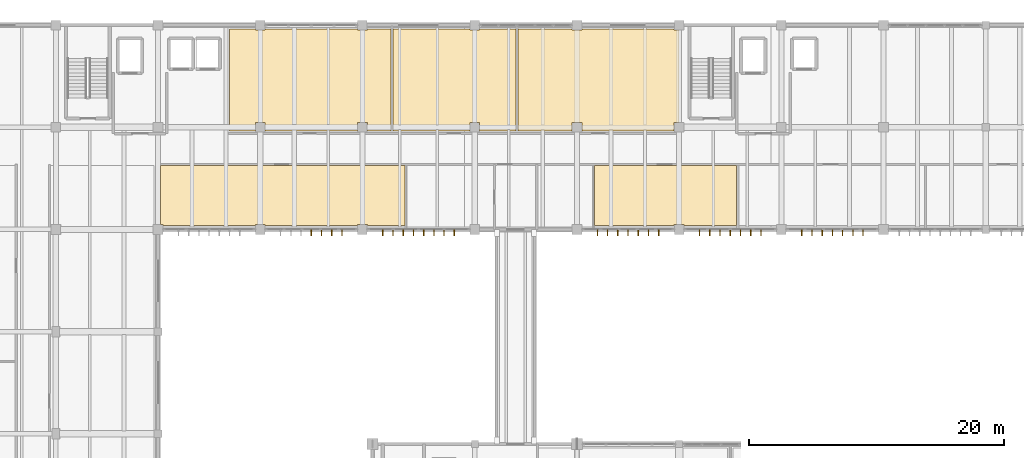
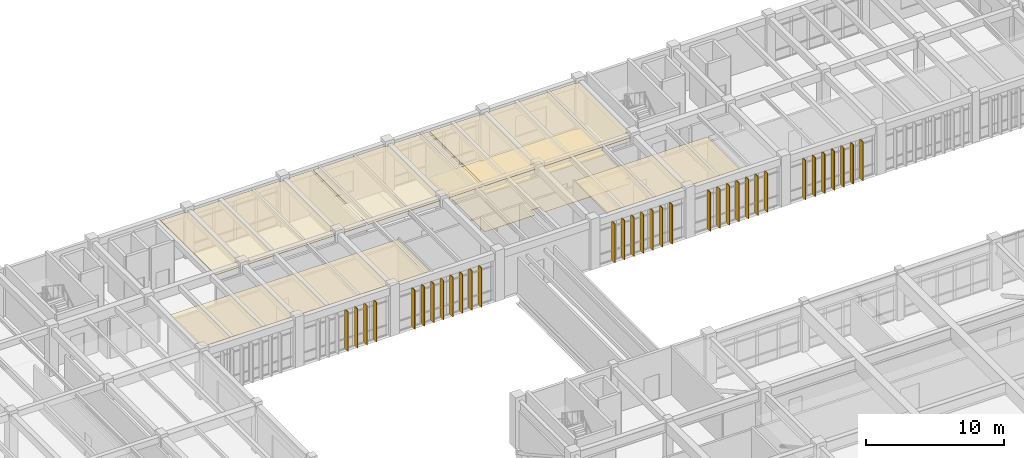
# One storey, part 74 of 79: 33 shading devices, 6 coverings.
"""IFC4 building model written with IfcOpenShell, lengths in metres."""

from ifc_helpers import new_model, si_unit, direction, frame, origin, origin_2d, place, context, subcontext, project, spatial, polyline, rectangle, outline, extrude, material, layer, layer_set, type_object, element, save


model = new_model("IFC4")

# Units and contexts
model_context = context("Model", 3, precision=1e-05, world=origin(), true_north=direction((0.0, 1.0)))
body_context = subcontext(model_context, "Body", "Model", "MODEL_VIEW")
ifc_project = project(units=[si_unit("LENGTHUNIT", "METRE"), si_unit("AREAUNIT", "SQUARE_METRE"), si_unit("VOLUMEUNIT", "CUBIC_METRE"), si_unit("PLANEANGLEUNIT", "RADIAN"), si_unit("MASSUNIT", "GRAM", prefix="KILO")], contexts=[model_context])

# Site, building, storey
site_placement = place(None, origin())
site = spatial("IfcSite", under=ifc_project, at=site_placement, CompositionType="ELEMENT")
building_placement = place(site_placement, origin())
building = spatial("IfcBuilding", under=site, at=building_placement, Name="Tlaxcora Railside Police Headquarters", CompositionType="ELEMENT")
storey_placement = place(building_placement, frame((0.0, 0.0, 9.0)))
storey = spatial("IfcBuildingStorey", under=building, at=storey_placement, Name="L02", CompositionType="ELEMENT", Elevation=9.0)

# Coverings
ifc_material_1 = material(Name="Mineral-fibre acoustic ceiling tile")
ifc_layer_1 = layer(ifc_material_1, 0.034912109375, Name="Mineral-fibre acoustic ceiling tile")
ifc_layer_set_1 = layer_set([ifc_layer_1], Name="Mineral-fibre acoustic ceiling tile")
covering_type_1 = type_object("IfcCoveringType", Name="Acoustic Suspended Ceiling CLG-01", PredefinedType="CEILING", material=ifc_layer_set_1)
covering_1_placement = place(storey_placement, frame((0.0, 0.0, 4.06494140625)))
element("IfcCovering", 1, at=covering_1_placement, inside=storey, type_object=covering_type_1, Name="Major Crimes Detective Squad Suite suspended ceiling", PredefinedType="CEILING", context=body_context, shape_type="SweptSolid", body=[
    extrude(outline(polyline([(37.5849609375, 77.10009765625), (44.81494140625, 77.10009765625), (44.81494140625, 77.18505859375), (45.5849609375, 77.18505859375), (45.5849609375, 77.10009765625), (48.52490234375, 77.10009765625), (48.52490234375, 81.800048828125), (29.39990234375, 81.800048828125), (29.39990234375, 77.18505859375), (29.5849609375, 77.18505859375), (29.5849609375, 77.10009765625), (36.81494140625, 77.10009765625), (36.81494140625, 77.18505859375), (37.5849609375, 77.18505859375), (37.5849609375, 77.10009765625)])), origin(), (0.0, 0.0, 1.0), 0.03515625),
])
covering_2_placement = place(storey_placement, frame((0.0, 0.0, 4.06494140625)))
element("IfcCovering", 2, at=covering_2_placement, inside=storey, type_object=covering_type_1, Name="Acoustic Witness Interview Rooms suspended ceiling", PredefinedType="CEILING", context=body_context, shape_type="SweptSolid", body=[
    extrude(outline(polyline([(74.508056640625, 81.800048828125), (63.37109375, 81.800048828125), (63.37109375, 77.10009765625), (69.614990234375, 77.10009765625), (69.614990234375, 77.18505859375), (70.385009765625, 77.18505859375), (70.385009765625, 77.10009765625), (74.508056640625, 77.10009765625), (74.508056640625, 81.800048828125)])), origin(), (0.0, 0.0, 1.0), 0.03515625),
])
covering_3_placement = place(storey_placement, frame((0.0, 0.0, 4.06494140625)))
element("IfcCovering", 3, at=covering_3_placement, inside=storey, type_object=covering_type_1, Name="Cold-Case Dossier Archive suspended ceiling", PredefinedType="CEILING", context=body_context, shape_type="SweptSolid", body=[
    extrude(outline(polyline([(37.5849609375, 85.18505859375), (37.5849609375, 84.5), (44.81494140625, 84.5), (44.81494140625, 85.18505859375), (45.5849609375, 85.18505859375), (45.5849609375, 84.5), (47.430908203125, 84.5), (47.430908203125, 92.5), (45.5849609375, 92.5), (45.5849609375, 92.4150390625), (44.81494140625, 92.4150390625), (44.81494140625, 92.5), (37.5849609375, 92.5), (37.5849609375, 92.4150390625), (36.81494140625, 92.4150390625), (36.81494140625, 92.5), (34.800048828125, 92.5), (34.800048828125, 84.5), (36.81494140625, 84.5), (36.81494140625, 85.18505859375), (37.5849609375, 85.18505859375)])), origin(), (0.0, 0.0, 1.0), 0.03515625),
])
covering_4_placement = place(storey_placement, frame((0.0, 0.0, 4.06494140625)))
element("IfcCovering", 4, at=covering_4_placement, inside=storey, type_object=covering_type_1, Name="Accessible WC and Detective Restrooms L02 suspended ceiling", PredefinedType="CEILING", context=body_context, shape_type="SweptSolid", body=[
    extrude(outline(polyline([(57.208984375, 84.5), (57.208984375, 92.5), (54.385009765625, 92.5), (54.385009765625, 92.4150390625), (53.614990234375, 92.4150390625), (53.614990234375, 92.5), (47.591064453125, 92.5), (47.591064453125, 84.5), (53.614990234375, 84.5), (53.614990234375, 85.18505859375), (54.385009765625, 85.18505859375), (54.385009765625, 84.5), (57.208984375, 84.5)])), origin(), (0.0, 0.0, 1.0), 0.03515625),
])
ifc_material_2 = material(Name="Heavy-duty resin and raised-access technical flooring")
ifc_layer_2 = layer(ifc_material_2, 0.02490234375, Name="Heavy-duty resin and raised-access technical flooring")
ifc_layer_set_2 = layer_set([ifc_layer_2], Name="Heavy-duty resin and raised-access technical flooring")
covering_type_2 = type_object("IfcCoveringType", Name="Epoxy Chemical-Resistant Lab Flooring FLR-02", PredefinedType="FLOORING", material=ifc_layer_set_2)
covering_5_placement = place(storey_placement, origin())
element("IfcCovering", 5, at=covering_5_placement, inside=storey, type_object=covering_type_2, Name="Evidence Review Secure Room technical floor finish", PredefinedType="FLOORING", context=body_context, shape_type="SweptSolid", body=[
    extrude(outline(polyline([(62.385009765625, 85.18505859375), (62.385009765625, 84.5), (69.614990234375, 84.5), (69.614990234375, 85.18505859375), (70.0, 85.18505859375), (70.0, 92.4150390625), (69.614990234375, 92.4150390625), (69.614990234375, 92.5), (62.385009765625, 92.5), (62.385009765625, 92.4150390625), (61.614990234375, 92.4150390625), (61.614990234375, 92.5), (57.368896484375, 92.5), (57.368896484375, 84.5), (61.614990234375, 84.5), (61.614990234375, 85.18505859375), (62.385009765625, 85.18505859375)])), origin(), (0.0, 0.0, 1.0), 0.02490234375),
])
ifc_layer_3 = layer(ifc_material_1, 0.044921875, Name="Mineral-fibre acoustic ceiling tile")
ifc_layer_set_3 = layer_set([ifc_layer_3], Name="Mineral-fibre acoustic ceiling tile")
covering_type_3 = type_object("IfcCoveringType", Name="Laboratory Hygienic Ceiling CLG-02", PredefinedType="CEILING", material=ifc_layer_set_3)
covering_6_placement = place(storey_placement, frame((0.0, 0.0, 4.054931640625)))
element("IfcCovering", 6, at=covering_6_placement, inside=storey, type_object=covering_type_3, Name="Evidence Review Secure Room suspended ceiling", PredefinedType="CEILING", context=body_context, shape_type="SweptSolid", body=[
    extrude(outline(polyline([(62.385009765625, 85.18505859375), (62.385009765625, 84.5), (69.614990234375, 84.5), (69.614990234375, 85.18505859375), (70.0, 85.18505859375), (70.0, 92.4150390625), (69.614990234375, 92.4150390625), (69.614990234375, 92.5), (62.385009765625, 92.5), (62.385009765625, 92.4150390625), (61.614990234375, 92.4150390625), (61.614990234375, 92.5), (57.368896484375, 92.5), (57.368896484375, 84.5), (61.614990234375, 84.5), (61.614990234375, 85.18505859375), (62.385009765625, 85.18505859375)])), origin(), (0.0, 0.0, 1.0), 0.045166015625),
])

# Shading devices
ifc_material_3 = material(Name="Anodised aluminium framing", Category="aluminium")
ifc_layer_4 = layer(ifc_material_3, 0.054931640625, Name="Anodised aluminium framing")
ifc_layer_set_4 = layer_set([ifc_layer_4], Name="Anodised aluminium framing")
shading_device_type = type_object("IfcShadingDeviceType", Name="Solar Control Fin SF-01", PredefinedType="JALOUSIE", material=ifc_layer_set_4)
for number, where, z_axis, x_axis, name in (
    (7, (41.199951171875, 76.5400390625, 0.0400390625), (0.0, 0.0, 1.0), (0.0, -1.0, 0.0), "Vertical solar fin 173"),
    (8, (42.0, 76.5400390625, 0.0400390625), (0.0, 0.0, 1.0), (0.0, -1.0, 0.0), "Vertical solar fin 174"),
    (9, (42.800048828125, 76.5400390625, 0.0400390625), (0.0, 0.0, 1.0), (0.0, -1.0, 0.0), "Vertical solar fin 175"),
    (10, (43.60009765625, 76.5400390625, 0.0400390625), (0.0, 0.0, 1.0), (0.0, -1.0, 0.0), "Vertical solar fin 176"),
    (11, (46.800048828125, 76.5400390625, 0.0400390625), (0.0, 0.0, 1.0), (0.0, -1.0, 0.0), "Vertical solar fin 177"),
    (12, (47.60009765625, 76.5400390625, 0.0400390625), (0.0, 0.0, 1.0), (0.0, -1.0, 0.0), "Vertical solar fin 178"),
    (13, (48.39990234375, 76.5400390625, 0.0400390625), (0.0, 0.0, 1.0), (0.0, -1.0, 0.0), "Vertical solar fin 179"),
    (14, (49.199951171875, 76.5400390625, 0.0400390625), (0.0, 0.0, 1.0), (0.0, -1.0, 0.0), "Vertical solar fin 180"),
    (15, (50.0, 76.5400390625, 0.0400390625), (0.0, 0.0, 1.0), (0.0, -1.0, 0.0), "Vertical solar fin 181"),
    (16, (50.800048828125, 76.5400390625, 0.0400390625), (0.0, 0.0, 1.0), (0.0, -1.0, 0.0), "Vertical solar fin 182"),
    (17, (51.60009765625, 76.5400390625, 0.0400390625), (0.0, 0.0, 1.0), (0.0, -1.0, 0.0), "Vertical solar fin 183"),
    (18, (52.39990234375, 76.5400390625, 0.0400390625), (0.0, 0.0, 1.0), (0.0, -1.0, 0.0), "Vertical solar fin 184"),
    (19, (63.60009765625, 76.5400390625, 0.0400390625), (0.0, 0.0, 1.0), (0.0, -1.0, 0.0), "Vertical solar fin 185"),
    (20, (64.39990234375, 76.5400390625, 0.0400390625), (0.0, 0.0, 1.0), (0.0, -1.0, 0.0), "Vertical solar fin 186"),
    (21, (65.199951171875, 76.5400390625, 0.0400390625), (0.0, 0.0, 1.0), (0.0, -1.0, 0.0), "Vertical solar fin 187"),
    (22, (66.0, 76.5400390625, 0.0400390625), (0.0, 0.0, 1.0), (0.0, -1.0, 0.0), "Vertical solar fin 188"),
    (23, (66.800048828125, 76.5400390625, 0.0400390625), (0.0, 0.0, 1.0), (0.0, -1.0, 0.0), "Vertical solar fin 189"),
    (24, (67.60009765625, 76.5400390625, 0.0400390625), (0.0, 0.0, 1.0), (0.0, -1.0, 0.0), "Vertical solar fin 190"),
    (25, (68.39990234375, 76.5400390625, 0.0400390625), (0.0, 0.0, 1.0), (0.0, -1.0, 0.0), "Vertical solar fin 191"),
    (26, (71.60009765625, 76.5400390625, 0.0400390625), (0.0, 0.0, 1.0), (0.0, -1.0, 0.0), "Vertical solar fin 192"),
    (27, (72.39990234375, 76.5400390625, 0.0400390625), (0.0, 0.0, 1.0), (0.0, -1.0, 0.0), "Vertical solar fin 193"),
    (28, (73.199951171875, 76.5400390625, 0.0400390625), (0.0, 0.0, 1.0), (0.0, -1.0, 0.0), "Vertical solar fin 194"),
    (29, (74.0, 76.5400390625, 0.0400390625), (0.0, 0.0, 1.0), (0.0, -1.0, 0.0), "Vertical solar fin 195"),
    (30, (74.800048828125, 76.5400390625, 0.0400390625), (0.0, 0.0, 1.0), (0.0, -1.0, 0.0), "Vertical solar fin 196"),
    (31, (75.60009765625, 76.5400390625, 0.0400390625), (0.0, 0.0, 1.0), (0.0, -1.0, 0.0), "Vertical solar fin 197"),
    (32, (76.39990234375, 76.5400390625, 0.0400390625), (0.0, 0.0, 1.0), (0.0, -1.0, 0.0), "Vertical solar fin 198"),
    (33, (79.60009765625, 76.5400390625, 0.0400390625), (0.0, 0.0, 1.0), (0.0, -1.0, 0.0), "Vertical solar fin 199"),
    (34, (80.39990234375, 76.5400390625, 0.0400390625), (0.0, 0.0, 1.0), (0.0, -1.0, 0.0), "Vertical solar fin 200"),
    (35, (81.199951171875, 76.5400390625, 0.0400390625), (0.0, 0.0, 1.0), (0.0, -1.0, 0.0), "Vertical solar fin 201"),
    (36, (82.0, 76.5400390625, 0.0400390625), (0.0, 0.0, 1.0), (0.0, -1.0, 0.0), "Vertical solar fin 202"),
    (37, (82.800048828125, 76.5400390625, 0.0400390625), (0.0, 0.0, 1.0), (0.0, -1.0, 0.0), "Vertical solar fin 203"),
    (38, (83.60009765625, 76.5400390625, 0.0400390625), (0.0, 0.0, 1.0), (0.0, -1.0, 0.0), "Vertical solar fin 204"),
    (39, (84.39990234375, 76.5400390625, 0.0400390625), (0.0, 0.0, 1.0), (0.0, -1.0, 0.0), "Vertical solar fin 205"),
):
    element("IfcShadingDevice", number, at=place(storey_placement, frame(where, z_axis=z_axis, x_axis=x_axis)), inside=storey, type_object=shading_device_type, Name=name, PredefinedType="JALOUSIE", context=body_context, shape_type="SweptSolid", body=[
        extrude(rectangle(XDim=0.47998046875, YDim=0.054931640625, at=origin_2d()), origin(), (0.0, 0.0, 1.0), 3.489990234375),
    ])

save(model, "model.ifc")
